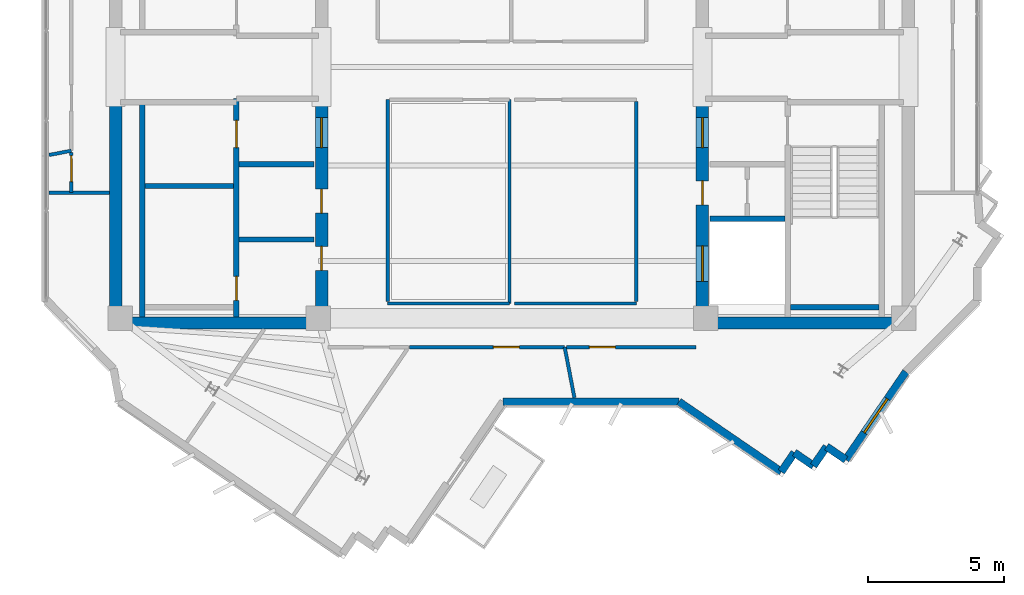
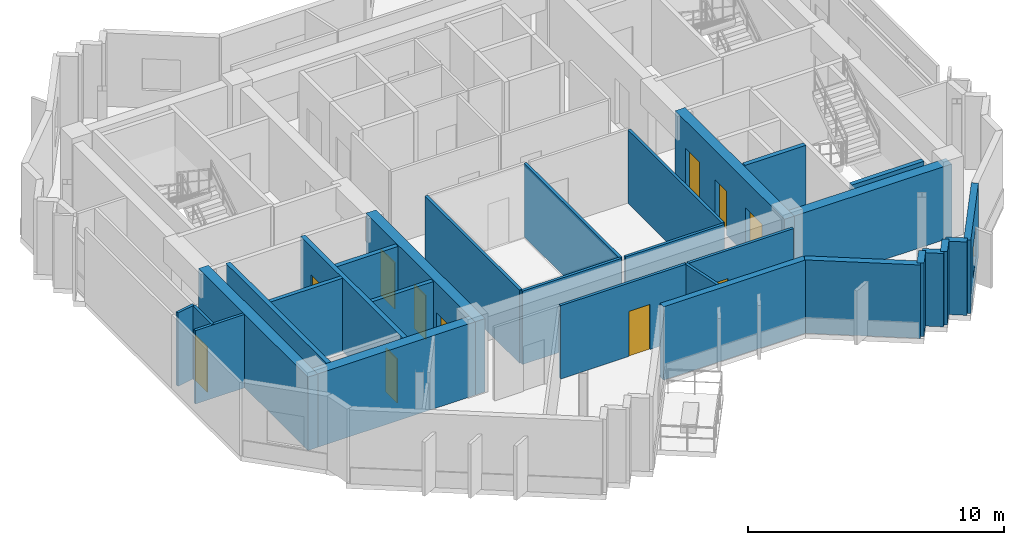
# One storey, part 5 of 11: 30 walls, 11 doors, 1 window, 12 openings.
"""IFC4 building model written with IfcOpenShell, lengths in metres."""

import ifcopenshell
import ifcopenshell.guid

model = None  # the IFC model being written
_history = None  # IfcOwnerHistory: only IFC2X3 demands one
_inside = {}  # id of a spatial element -> (the spatial element, [elements in it])
_under = {}  # id of a project, library or spatial element -> (it, [spatial elements below it])
_declared = {}  # id of a project -> (the project, [libraries it declares])
_typed = {}  # id of a type object -> (the type object, [elements of that type])
_made_of = {}  # id of a material, layer set ... -> (it, [elements and type objects made of it])


def new_model(schema):
    """Start an empty IFC model of exactly this schema.

    Asked for "IFC4X3", IfcOpenShell would pick the latest addendum, in which some entities
    have other attributes; the version numbers below select the first issue.
    IFC2X3 requires an IfcOwnerHistory on every rooted entity: one is made here for all.
    """
    global model, _history
    if schema == "IFC4X3":
        model = ifcopenshell.file(schema_version=(4, 3, 0, 0))
    else:
        model = ifcopenshell.file(schema=schema)
    _inside.clear()
    _under.clear()
    _declared.clear()
    _typed.clear()
    _made_of.clear()
    _history = None
    if model.schema == "IFC2X3":
        org = make("IfcOrganization", Name="unknown")
        user = make(
            "IfcPersonAndOrganization",
            ThePerson=make("IfcPerson", FamilyName="unknown"),
            TheOrganization=org,
        )
        app = make(
            "IfcApplication",
            ApplicationDeveloper=org,
            Version="unknown",
            ApplicationFullName="unknown",
            ApplicationIdentifier="unknown",
        )
        _history = make(
            "IfcOwnerHistory",
            OwningUser=user,
            OwningApplication=app,
            ChangeAction="ADDED",
            CreationDate=0,
        )
    return model


def make(cls, **values):
    """One entity of the class cls with the attributes given. An attribute that is None is left unset."""
    return model.create_entity(
        cls, **{name: value for name, value in values.items() if value is not None}
    )


def rooted(cls, **values):
    """An entity with a GlobalId (a new one), such as an element, a storey or a relation."""
    return make(cls, GlobalId=ifcopenshell.guid.new(), OwnerHistory=_history, **values)


def si_unit(unit_type, name, prefix=None):
    """IfcSIUnit, for example si_unit("LENGTHUNIT", "METRE", prefix="MILLI")."""
    return make("IfcSIUnit", UnitType=unit_type, Prefix=prefix, Name=name)


def assignment(units):
    """IfcUnitAssignment: the units of a project."""
    return None if units is None else make("IfcUnitAssignment", Units=units)


def point(xyz):
    """IfcCartesianPoint."""
    return None if xyz is None else make("IfcCartesianPoint", Coordinates=xyz)


def direction(xyz):
    """IfcDirection."""
    return None if xyz is None else make("IfcDirection", DirectionRatios=xyz)


def frame(location, z_axis=None, x_axis=None):
    """IfcAxis2Placement3D, a coordinate frame: its origin and axes. An axis left out is left unset."""
    return make(
        "IfcAxis2Placement3D",
        Location=point(location),
        Axis=direction(z_axis),
        RefDirection=direction(x_axis),
    )


def frame_2d(location, x_axis=None):
    """IfcAxis2Placement2D, a coordinate frame in the plane: its origin and x axis."""
    return make(
        "IfcAxis2Placement2D", Location=point(location), RefDirection=direction(x_axis)
    )


def origin():
    """The frame at (0, 0, 0) with its axes left unset."""
    return frame((0.0, 0.0, 0.0))


def place(relative_to, where):
    """IfcLocalPlacement: puts the frame where relative to a parent placement (None: the world)."""
    return make(
        "IfcLocalPlacement", PlacementRelTo=relative_to, RelativePlacement=where
    )


def context(
    kind, dimensions, precision=None, world=None, true_north=None, identifier=None
):
    """IfcGeometricRepresentationContext, for example the 3D "Model" context."""
    return make(
        "IfcGeometricRepresentationContext",
        ContextIdentifier=identifier,
        ContextType=kind,
        CoordinateSpaceDimension=dimensions,
        Precision=precision,
        WorldCoordinateSystem=world,
        TrueNorth=true_north,
    )


def subcontext(parent, identifier, kind, view, scale=None):
    """IfcGeometricRepresentationSubContext, for example "Body" below "Model"."""
    return make(
        "IfcGeometricRepresentationSubContext",
        ContextIdentifier=identifier,
        ContextType=kind,
        ParentContext=parent,
        TargetScale=scale,
        TargetView=view,
    )


def project(units=None, contexts=None):
    """IfcProject with its units and contexts."""
    return rooted(
        "IfcProject",
        Name="project",
        RepresentationContexts=contexts,
        UnitsInContext=assignment(units),
    )


def spatial(cls, under=None, at=None, **own):
    """A site, building, storey or space (cls), placed at a placement, below another one or the project."""
    s = rooted(cls, ObjectPlacement=at, **own)
    if under is not None:
        _under.setdefault(under.id(), (under, []))[1].append(s)
    return s


def profile(cls, at=None, kind="AREA", **sizes):
    """A parametric profile (cls). Its sizes go by their IFC names, for example OverallWidth=200.0."""
    return make(cls, ProfileType=kind, Position=at, **sizes)


def rectangle(**sizes):
    """IfcRectangleProfileDef."""
    return profile("IfcRectangleProfileDef", **sizes)


def extrude(swept, where, along, depth):
    """IfcExtrudedAreaSolid: the profile swept, set in the frame where, extruded along a direction by depth."""
    return make(
        "IfcExtrudedAreaSolid",
        SweptArea=swept,
        Position=where,
        ExtrudedDirection=direction(along),
        Depth=depth,
    )


def shape(context_of_items, identifier, shape_type, items):
    """IfcShapeRepresentation: the items that make up one representation, for example the "Body"."""
    return make(
        "IfcShapeRepresentation",
        ContextOfItems=context_of_items,
        RepresentationIdentifier=identifier,
        RepresentationType=shape_type,
        Items=items,
    )


def source(mapping_origin, context_of_items, identifier, shape_type, items):
    """IfcRepresentationMap: a shape defined once, which mapped items show again and again."""
    return make(
        "IfcRepresentationMap",
        MappingOrigin=mapping_origin,
        MappedRepresentation=shape(context_of_items, identifier, shape_type, items),
    )


def transform(
    local_origin,
    x_axis=None,
    y_axis=None,
    z_axis=None,
    scale=None,
    scale2=None,
    scale3=None,
    uniform=True,
):
    """IfcCartesianTransformationOperator3D, or its non-uniform kind. x_axis, y_axis, z_axis: its Axis1, 2, 3."""
    if uniform:
        return make(
            "IfcCartesianTransformationOperator3D",
            Axis1=direction(x_axis),
            Axis2=direction(y_axis),
            LocalOrigin=point(local_origin),
            Scale=scale,
            Axis3=direction(z_axis),
        )
    return make(
        "IfcCartesianTransformationOperator3DnonUniform",
        Axis1=direction(x_axis),
        Axis2=direction(y_axis),
        LocalOrigin=point(local_origin),
        Scale=scale,
        Axis3=direction(z_axis),
        Scale2=scale2,
        Scale3=scale3,
    )


def mapped(mapping_source, mapping_target):
    """IfcMappedItem: shows the shape of a source again, moved by a transform."""
    return make(
        "IfcMappedItem", MappingSource=mapping_source, MappingTarget=mapping_target
    )


def material(Name=None, Category=None):
    """IfcMaterial."""
    return make("IfcMaterial", Name=Name, Category=Category)


def layer(
    of_material, thickness, ventilated=None, Name=None, Category=None, Priority=None
):
    """IfcMaterialLayer: one layer of a wall or slab, of a material (None: an air gap)."""
    return make(
        "IfcMaterialLayer",
        Material=of_material,
        LayerThickness=thickness,
        IsVentilated=ventilated,
        Name=Name,
        Category=Category,
        Priority=Priority,
    )


def layer_set(layers, Name=None):
    """IfcMaterialLayerSet."""
    return make("IfcMaterialLayerSet", MaterialLayers=layers, LayerSetName=Name)


def made_of(thing, what):
    """Note that an element or type object is made of a material, layer set ...; save() writes the relation."""
    if what is not None:
        _made_of.setdefault(what.id(), (what, []))[1].append(thing)
    return thing


def type_object(cls, material=None, **own):
    """A type object (cls), such as IfcWallType, which elements share."""
    return made_of(rooted(cls, **own), material)


def element(
    cls,
    number,
    at=None,
    inside=None,
    cuts=None,
    type_object=None,
    material=None,
    context=None,
    identifier="Body",
    shape_type=None,
    held_by="IfcProductDefinitionShape",
    body=None,
    shapes=None,
    **own,
):
    """One element of the class cls, such as IfcWall. Its Tag is "e" and its number.

    at: its placement. inside: the storey or other place that contains it. cuts: it is an
    opening in that element (IfcRelVoidsElement). A single representation is given by context,
    identifier, shape_type and body (its items); several are given by shapes. held_by: the class
    of the entity that holds the representations. save() writes the other relations.
    """
    e = rooted(cls, Tag="e%d" % number, ObjectPlacement=at, **own)
    if body is not None:
        shapes = [shape(context, identifier, shape_type, body)]
    if shapes is not None:
        e.Representation = make(held_by, Representations=shapes)
    if inside is not None:
        _inside.setdefault(inside.id(), (inside, []))[1].append(e)
    if cuts is not None:
        rooted(
            "IfcRelVoidsElement", RelatingBuildingElement=cuts, RelatedOpeningElement=e
        )
    if type_object is not None:
        _typed.setdefault(type_object.id(), (type_object, []))[1].append(e)
    return made_of(e, material)


def fill(opening, filler):
    """IfcRelFillsElement: the door or window that sits in an opening."""
    return rooted(
        "IfcRelFillsElement",
        RelatingOpeningElement=opening,
        RelatedBuildingElement=filler,
    )


def aggregate(whole, parts):
    """IfcRelAggregates: a whole, such as a stair, and the parts it consists of."""
    return rooted("IfcRelAggregates", RelatingObject=whole, RelatedObjects=parts)


def save(model, path):
    """Write the relations noted so far, then the file.

    IfcRelAggregates (storeys below a building ...), IfcRelContainedInSpatialStructure (elements
    in a storey), IfcRelDefinesByType, IfcRelAssociatesMaterial and IfcRelDeclares: one each for
    every whole, place, type object, material and project.
    """
    for whole, parts in _under.values():
        aggregate(whole, parts)
    for where, things in _inside.values():
        rooted(
            "IfcRelContainedInSpatialStructure",
            RelatedElements=things,
            RelatingStructure=where,
        )
    for kind, things in _typed.values():
        rooted("IfcRelDefinesByType", RelatedObjects=things, RelatingType=kind)
    for what, things in _made_of.values():
        rooted("IfcRelAssociatesMaterial", RelatedObjects=things, RelatingMaterial=what)
    for by, libraries in _declared.values():
        rooted("IfcRelDeclares", RelatingContext=by, RelatedDefinitions=libraries)
    model.write(path)


model = new_model("IFC4")

# Units and contexts
model_context = context("Model", 3, precision=1e-05, world=origin(), true_north=direction((0.0, 1.0)))
body_context = subcontext(model_context, "Body", "Model", "MODEL_VIEW")
ifc_project = project(units=[si_unit("LENGTHUNIT", "METRE"), si_unit("AREAUNIT", "SQUARE_METRE"), si_unit("VOLUMEUNIT", "CUBIC_METRE"), si_unit("PLANEANGLEUNIT", "RADIAN"), si_unit("MASSUNIT", "GRAM", prefix="KILO")], contexts=[model_context])

# Site, building, storey
site_placement = place(None, origin())
site = spatial("IfcSite", under=ifc_project, at=site_placement, CompositionType="ELEMENT")
building_placement = place(site_placement, origin())
building = spatial("IfcBuilding", under=site, at=building_placement, Name="Zahravan Cultural Tower", CompositionType="ELEMENT")
storey_placement = place(building_placement, frame((0.0, 0.0, 331.050048828125)))
storey = spatial("IfcBuildingStorey", under=building, at=storey_placement, Name="L80", CompositionType="ELEMENT", Elevation=331.050048828125)

# Wall, openings, doors
ifc_material_1 = material(Name="Concrete C50/60", Category="concrete")
ifc_layer_1 = layer(ifc_material_1, 0.449951171875)
ifc_layer_set_1 = layer_set([ifc_layer_1], Name="Concrete C50/60")
wall_type_1 = type_object("IfcWallType", Name="CW-SHEAR-450-C50", PredefinedType="SHEAR", material=ifc_layer_set_1)
wall_1_placement = place(storey_placement, frame((29.02490234375, 17.39990234375, 0.0), z_axis=(0.0, 0.0, 1.0), x_axis=(0.0, 1.0, 0.0)))
wall_1 = element("IfcWall", 1, at=wall_1_placement, inside=storey, type_object=wall_type_1, Name="L80 Core Shear Wall CW-W-ES-L80", PredefinedType="SHEAR", context=body_context, shape_type="SweptSolid", body=[
    extrude(rectangle(XDim=8.550048828125, YDim=0.449951171875, at=frame_2d((4.27490234375, 0.0))), origin(), (0.0, 0.0, 1.0), 3.5),
])
opening_1_placement = place(wall_1_placement, frame((6.64990234375, 0.0, 0.0)))
opening_1 = element("IfcOpeningElement", 2, at=opening_1_placement, cuts=wall_1, Name="Opening D-L80-08", PredefinedType="OPENING", context=body_context, shape_type="SweptSolid", body=[
    extrude(rectangle(XDim=1.10009765625, YDim=2.199951171875, at=frame_2d((0.550048828125, 1.10009765625))), frame((0.0, 0.23486328125, 0.0), z_axis=(0.0, -1.0, 0.0), x_axis=(1.0, 0.0, 0.0)), (0.0, 0.0, 1.0), 0.469970703125),
])
opening_2_placement = place(wall_1_placement, frame((2.14990234375, 0.0, 0.0)))
opening_2 = element("IfcOpeningElement", 3, at=opening_2_placement, cuts=wall_1, Name="Opening D-L80-10", PredefinedType="OPENING", context=body_context, shape_type="SweptSolid", body=[
    extrude(rectangle(XDim=0.8798828125, YDim=2.10009765625, at=frame_2d((0.43994140625, 1.050048828125))), frame((0.0, 0.23486328125, 0.0), z_axis=(0.0, -1.0, 0.0), x_axis=(1.0, 0.0, 0.0)), (0.0, 0.0, 1.0), 0.469970703125),
])
opening_3_placement = place(wall_1_placement, frame((4.25, 0.0, 0.0)))
opening_3 = element("IfcOpeningElement", 4, at=opening_3_placement, cuts=wall_1, Name="Opening D-L80-11", PredefinedType="OPENING", context=body_context, shape_type="SweptSolid", body=[
    extrude(rectangle(XDim=0.8798828125, YDim=2.10009765625, at=frame_2d((0.43994140625, 1.050048828125))), frame((0.0, 0.23486328125, 0.0), z_axis=(0.0, -1.0, 0.0), x_axis=(1.0, 0.0, 0.0)), (0.0, 0.0, 1.0), 0.469970703125),
])
ifc_material_2 = material(Name="Steel ASTM A572 Grade 50", Category="steel")
door_type_1 = type_object("IfcDoorType", Name="DR-LOBBY-1100", OperationType="NOTDEFINED", PredefinedType="DOOR", material=ifc_material_2)
shared_shape_1 = source(origin(), body_context, "Body", "SweptSolid", [
    extrude(rectangle(XDim=1.10009765625, YDim=2.199951171875, at=frame_2d((0.550048828125, 1.10009765625))), frame((0.0, 0.02490234375, 0.0), z_axis=(0.0, -1.0, 0.0), x_axis=(1.0, 0.0, 0.0)), (0.0, 0.0, 1.0), 0.050048828125),
])
door_1_placement = place(opening_1_placement, origin())
door_1 = element("IfcDoor", 5, at=door_1_placement, inside=storey, type_object=door_type_1, Name="L80 Door D-L80-08", OperationType="SINGLE_SWING_LEFT", OverallHeight=2.199951171875, OverallWidth=1.10009765625, PredefinedType="DOOR", context=body_context, shape_type="MappedRepresentation", body=[
    mapped(shared_shape_1, transform((0.0, 0.0, 0.0), x_axis=(1.0, 0.0, 0.0), y_axis=(0.0, 1.0, 0.0), z_axis=(0.0, 0.0, 1.0), scale=1.0)),
])
fill(opening_1, door_1)
door_type_2 = type_object("IfcDoorType", Name="DR-SVC-880", OperationType="NOTDEFINED", PredefinedType="DOOR", material=ifc_material_2)
shared_shape_2 = source(origin(), body_context, "Body", "SweptSolid", [
    extrude(rectangle(XDim=0.8798828125, YDim=2.10009765625, at=frame_2d((0.43994140625, 1.050048828125))), frame((0.0, 0.02490234375, 0.0), z_axis=(0.0, -1.0, 0.0), x_axis=(1.0, 0.0, 0.0)), (0.0, 0.0, 1.0), 0.050048828125),
])
door_2_placement = place(opening_2_placement, origin())
door_2 = element("IfcDoor", 6, at=door_2_placement, inside=storey, type_object=door_type_2, Name="L80 Door D-L80-10", OperationType="SINGLE_SWING_LEFT", OverallHeight=2.10009765625, OverallWidth=0.8798828125, PredefinedType="DOOR", context=body_context, shape_type="MappedRepresentation", body=[
    mapped(shared_shape_2, transform((0.0, 0.0, 0.0), x_axis=(1.0, 0.0, 0.0), y_axis=(0.0, 1.0, 0.0), z_axis=(0.0, 0.0, 1.0), scale=1.0)),
])
fill(opening_2, door_2)
door_3_placement = place(opening_3_placement, origin())
door_3 = element("IfcDoor", 7, at=door_3_placement, inside=storey, type_object=door_type_2, Name="L80 Door D-L80-11", OperationType="SINGLE_SWING_RIGHT", OverallHeight=2.10009765625, OverallWidth=0.8798828125, PredefinedType="DOOR", context=body_context, shape_type="MappedRepresentation", body=[
    mapped(shared_shape_2, transform((0.0, 0.0, 0.0), x_axis=(1.0, 0.0, 0.0), y_axis=(0.0, 1.0, 0.0), z_axis=(0.0, 0.0, 1.0), scale=1.0)),
])
fill(opening_3, door_3)

wall_2_placement = place(storey_placement, frame((42.97509765625, 17.39990234375, 0.0), z_axis=(0.0, 0.0, 1.0), x_axis=(0.0, 1.0, 0.0)))
wall_2 = element("IfcWall", 8, at=wall_2_placement, inside=storey, type_object=wall_type_1, Name="L80 Core Shear Wall CW-E-WS-L80", PredefinedType="SHEAR", context=body_context, shape_type="SweptSolid", body=[
    extrude(rectangle(XDim=8.550048828125, YDim=0.449951171875, at=frame_2d((4.27490234375, 0.0))), origin(), (0.0, 0.0, 1.0), 3.5),
])
opening_4_placement = place(wall_2_placement, frame((6.64990234375, 0.0, 0.0)))
opening_4 = element("IfcOpeningElement", 9, at=opening_4_placement, cuts=wall_2, Name="Opening D-L80-09", PredefinedType="OPENING", context=body_context, shape_type="SweptSolid", body=[
    extrude(rectangle(XDim=1.10009765625, YDim=2.199951171875, at=frame_2d((0.550048828125, 1.10009765625))), frame((0.0, 0.23486328125, 0.0), z_axis=(0.0, -1.0, 0.0), x_axis=(1.0, 0.0, 0.0)), (0.0, 0.0, 1.0), 0.469970703125),
])
opening_5_placement = place(wall_2_placement, frame((1.75, 0.0, 0.0)))
opening_5 = element("IfcOpeningElement", 10, at=opening_5_placement, cuts=wall_2, Name="Opening LD-L80-03", PredefinedType="OPENING", context=body_context, shape_type="SweptSolid", body=[
    extrude(rectangle(XDim=1.300048828125, YDim=2.199951171875, at=frame_2d((0.64990234375, 1.10009765625))), frame((0.0, 0.23486328125, 0.0), z_axis=(0.0, -1.0, 0.0), x_axis=(1.0, 0.0, 0.0)), (0.0, 0.0, 1.0), 0.469970703125),
])
opening_6_placement = place(wall_2_placement, frame((4.550048828125, 0.0, 0.0)))
opening_6 = element("IfcOpeningElement", 11, at=opening_6_placement, cuts=wall_2, Name="Opening D-L80-12", PredefinedType="OPENING", context=body_context, shape_type="SweptSolid", body=[
    extrude(rectangle(XDim=0.8798828125, YDim=2.10009765625, at=frame_2d((0.43994140625, 1.050048828125))), frame((0.0, 0.23486328125, 0.0), z_axis=(0.0, -1.0, 0.0), x_axis=(1.0, 0.0, 0.0)), (0.0, 0.0, 1.0), 0.469970703125),
])
door_4_placement = place(opening_4_placement, origin())
door_4 = element("IfcDoor", 12, at=door_4_placement, inside=storey, type_object=door_type_1, Name="L80 Door D-L80-09", OperationType="SINGLE_SWING_RIGHT", OverallHeight=2.199951171875, OverallWidth=1.10009765625, PredefinedType="DOOR", context=body_context, shape_type="MappedRepresentation", body=[
    mapped(shared_shape_1, transform((0.0, 0.0, 0.0), x_axis=(1.0, 0.0, 0.0), y_axis=(0.0, 1.0, 0.0), z_axis=(0.0, 0.0, 1.0), scale=1.0)),
])
fill(opening_4, door_4)
door_type_3 = type_object("IfcDoorType", Name="DR-LIFT-1300", OperationType="DOUBLE_DOOR_SLIDING", PredefinedType="DOOR", material=ifc_material_2)
shared_shape_3 = source(origin(), body_context, "Body", "SweptSolid", [
    extrude(rectangle(XDim=1.300048828125, YDim=2.199951171875, at=frame_2d((0.64990234375, 1.10009765625))), frame((0.0, 0.02490234375, 0.0), z_axis=(0.0, -1.0, 0.0), x_axis=(1.0, 0.0, 0.0)), (0.0, 0.0, 1.0), 0.050048828125),
])
door_5_placement = place(opening_5_placement, origin())
door_5 = element("IfcDoor", 13, at=door_5_placement, inside=storey, type_object=door_type_3, Name="L80 Door LD-L80-03", OperationType="DOUBLE_DOOR_SLIDING", OverallHeight=2.199951171875, OverallWidth=1.300048828125, PredefinedType="DOOR", context=body_context, shape_type="MappedRepresentation", body=[
    mapped(shared_shape_3, transform((0.0, 0.0, 0.0), x_axis=(1.0, 0.0, 0.0), y_axis=(0.0, 1.0, 0.0), z_axis=(0.0, 0.0, 1.0), scale=1.0)),
])
fill(opening_5, door_5)
door_6_placement = place(opening_6_placement, origin())
door_6 = element("IfcDoor", 14, at=door_6_placement, inside=storey, type_object=door_type_2, Name="L80 Door D-L80-12", OperationType="SINGLE_SWING_LEFT", OverallHeight=2.10009765625, OverallWidth=0.8798828125, PredefinedType="DOOR", context=body_context, shape_type="MappedRepresentation", body=[
    mapped(shared_shape_2, transform((0.0, 0.0, 0.0), x_axis=(1.0, 0.0, 0.0), y_axis=(0.0, 1.0, 0.0), z_axis=(0.0, 0.0, 1.0), scale=1.0)),
])
fill(opening_6, door_6)

# Wall, opening, window
ifc_material_3 = material(Name="Precast concrete C40/50", Category="concrete")
ifc_layer_2 = layer(ifc_material_3, 0.280029296875)
ifc_layer_set_2 = layer_set([ifc_layer_2], Name="Precast concrete C40/50")
wall_type_2 = type_object("IfcWallType", Name="EW-TC-280", PredefinedType="SOLIDWALL", material=ifc_layer_set_2)
wall_3_placement = place(storey_placement, frame((50.43701171875, 15.8349609375, 0.0), z_axis=(0.0, 0.0, 1.0), x_axis=(-0.564961879511, -0.825117006672, 0.0)))
wall_3 = element("IfcWall", 15, at=wall_3_placement, inside=storey, type_object=wall_type_2, Name="L80 Exterior Masonry Frame Wall 27", PredefinedType="SOLIDWALL", context=body_context, shape_type="SweptSolid", body=[
    extrude(rectangle(XDim=3.90380859375, YDim=0.280029296875, at=frame_2d((1.951904296875, 0.0))), origin(), (0.0, 0.0, 1.0), 3.5),
])
opening_7_placement = place(wall_3_placement, frame((1.201904296875, 0.0, 0.85009765625)))
opening_7 = element("IfcOpeningElement", 16, at=opening_7_placement, cuts=wall_3, Name="Opening WN-03", PredefinedType="OPENING", context=body_context, shape_type="SweptSolid", body=[
    extrude(rectangle(XDim=1.5, YDim=1.5, at=frame_2d((0.75, 0.75))), frame((0.0, 0.14990234375, 0.0), z_axis=(0.0, -1.0, 0.0), x_axis=(1.0, 0.0, 0.0)), (0.0, 0.0, 1.0), 0.300048828125),
])
ifc_material_4 = material(Name="Low-E solar-control double glazing", Category="glass")
window_type = type_object("IfcWindowType", Name="WN-REC-1500X1500", PartitioningType="SINGLE_PANEL", PredefinedType="WINDOW", material=ifc_material_4)
shared_shape_4 = source(origin(), body_context, "Body", "SweptSolid", [
    extrude(rectangle(XDim=1.5, YDim=1.5, at=frame_2d((0.75, 0.75))), frame((0.0, 0.030029296875, 0.0), z_axis=(0.0, -1.0, 0.0), x_axis=(1.0, 0.0, 0.0)), (0.0, 0.0, 1.0), 0.06005859375),
])
window_placement = place(opening_7_placement, origin())
window = element("IfcWindow", 17, at=window_placement, inside=storey, type_object=window_type, Name="L80 Recessed Solar Window 08", OverallHeight=1.5, OverallWidth=1.5, PartitioningType="SINGLE_PANEL", PredefinedType="WINDOW", context=body_context, shape_type="MappedRepresentation", body=[
    mapped(shared_shape_4, transform((0.0, 0.0, 0.0), x_axis=(1.0, 0.0, 0.0), y_axis=(0.0, 1.0, 0.0), z_axis=(0.0, 0.0, 1.0), scale=1.0)),
])
fill(opening_7, window)

# Wall, opening, door
ifc_material_5 = material(Name="Gypsum plasterboard partition")
ifc_layer_3 = layer(ifc_material_5, 0.125)
ifc_layer_set_3 = layer_set([ifc_layer_3], Name="Gypsum plasterboard partition")
wall_type_3 = type_object("IfcWallType", Name="W-PART-125", PredefinedType="PARTITIONING", material=ifc_layer_set_3)
wall_4_placement = place(storey_placement, frame((19.85009765625, 23.869384765625, 0.0), z_axis=(0.0, 0.0, 1.0), x_axis=(0.000665004009, -0.999999778885, 0.0)))
wall_4 = element("IfcWall", 18, at=wall_4_placement, inside=storey, type_object=wall_type_3, Name="L80 Interior Wall 069", PredefinedType="PARTITIONING", context=body_context, shape_type="SweptSolid", body=[
    extrude(rectangle(XDim=1.468505859375, YDim=0.125, at=frame_2d((0.734375, 0.0))), origin(), (0.0, 0.0, 1.0), 3.5),
])
opening_8_placement = place(wall_4_placement, frame((0.114013671875, 0.0, 0.0)))
opening_8 = element("IfcOpeningElement", 19, at=opening_8_placement, cuts=wall_4, Name="Opening D-L80-25", PredefinedType="OPENING", context=body_context, shape_type="SweptSolid", body=[
    extrude(rectangle(XDim=0.949951171875, YDim=2.14990234375, at=frame_2d((0.47509765625, 1.074951171875))), frame((0.0, 0.072509765625, 0.0), z_axis=(0.0, -1.0, 0.0), x_axis=(1.0, 0.0, 0.0)), (0.0, 0.0, 1.0), 0.14501953125),
])
ifc_material_6 = material(Name="Anodised bronze-aluminium mullion", Category="aluminium")
door_type_4 = type_object("IfcDoorType", Name="DR-ROOM-950", OperationType="NOTDEFINED", PredefinedType="DOOR", material=ifc_material_6)
shared_shape_5 = source(origin(), body_context, "Body", "SweptSolid", [
    extrude(rectangle(XDim=0.949951171875, YDim=2.14990234375, at=frame_2d((0.47509765625, 1.074951171875))), frame((0.0, 0.02490234375, 0.0), z_axis=(0.0, -1.0, 0.0), x_axis=(1.0, 0.0, 0.0)), (0.0, 0.0, 1.0), 0.050048828125),
])
door_7_placement = place(opening_8_placement, origin())
door_7 = element("IfcDoor", 20, at=door_7_placement, inside=storey, type_object=door_type_4, Name="L80 Door D-L80-25", OperationType="SINGLE_SWING_RIGHT", OverallHeight=2.14990234375, OverallWidth=0.949951171875, PredefinedType="DOOR", context=body_context, shape_type="MappedRepresentation", body=[
    mapped(shared_shape_5, transform((0.0, 0.0, 0.0), x_axis=(1.0, 0.0, 0.0), y_axis=(0.0, 1.0, 0.0), z_axis=(0.0, 0.0, 1.0), scale=1.0)),
])
fill(opening_8, door_7)

wall_5_placement = place(storey_placement, frame((32.235107421875, 16.739990234375, 0.0), z_axis=(0.0, 0.0, 1.0), x_axis=(1.0, 0.0, 0.0)))
wall_5 = element("IfcWall", 21, at=wall_5_placement, inside=storey, type_object=wall_type_3, Name="L80 Interior Wall 092", PredefinedType="PARTITIONING", context=body_context, shape_type="SweptSolid", body=[
    extrude(rectangle(XDim=5.696044921875, YDim=0.125, at=frame_2d((2.84814453125, 0.0))), origin(), (0.0, 0.0, 1.0), 3.5),
])
opening_9_placement = place(wall_5_placement, frame((3.0849609375, 0.0, 0.0)))
opening_9 = element("IfcOpeningElement", 22, at=opening_9_placement, cuts=wall_5, Name="Opening D-L80-27", PredefinedType="OPENING", context=body_context, shape_type="SweptSolid", body=[
    extrude(rectangle(XDim=0.949951171875, YDim=2.14990234375, at=frame_2d((0.47509765625, 1.074951171875))), frame((0.0, 0.072509765625, 0.0), z_axis=(0.0, -1.0, 0.0), x_axis=(1.0, 0.0, 0.0)), (0.0, 0.0, 1.0), 0.14501953125),
])
door_8_placement = place(opening_9_placement, origin())
door_8 = element("IfcDoor", 23, at=door_8_placement, inside=storey, type_object=door_type_4, Name="L80 Door D-L80-27", OperationType="SINGLE_SWING_RIGHT", OverallHeight=2.14990234375, OverallWidth=0.949951171875, PredefinedType="DOOR", context=body_context, shape_type="MappedRepresentation", body=[
    mapped(shared_shape_5, transform((0.0, 0.0, 0.0), x_axis=(1.0, 0.0, 0.0), y_axis=(0.0, 1.0, 0.0), z_axis=(0.0, 0.0, 1.0), scale=1.0)),
])
fill(opening_9, door_8)

wall_6_placement = place(storey_placement, frame((37.999755859375, 16.739990234375, 0.0), z_axis=(0.0, 0.0, 1.0), x_axis=(1.0, 0.0, 0.0)))
wall_6 = element("IfcWall", 24, at=wall_6_placement, inside=storey, type_object=wall_type_3, Name="L80 Interior Wall 095", PredefinedType="PARTITIONING", context=body_context, shape_type="SweptSolid", body=[
    extrude(rectangle(XDim=4.744384765625, YDim=0.125, at=frame_2d((2.3720703125, 0.0))), origin(), (0.0, 0.0, 1.0), 3.5),
])
opening_10_placement = place(wall_6_placement, frame((0.834716796875, 0.0, 0.0)))
opening_10 = element("IfcOpeningElement", 25, at=opening_10_placement, cuts=wall_6, Name="Opening D-L80-28", PredefinedType="OPENING", context=body_context, shape_type="SweptSolid", body=[
    extrude(rectangle(XDim=0.949951171875, YDim=2.14990234375, at=frame_2d((0.47509765625, 1.074951171875))), frame((0.0, 0.072509765625, 0.0), z_axis=(0.0, -1.0, 0.0), x_axis=(1.0, 0.0, 0.0)), (0.0, 0.0, 1.0), 0.14501953125),
])
door_9_placement = place(opening_10_placement, origin())
door_9 = element("IfcDoor", 26, at=door_9_placement, inside=storey, type_object=door_type_4, Name="L80 Door D-L80-28", OperationType="SINGLE_SWING_LEFT", OverallHeight=2.14990234375, OverallWidth=0.949951171875, PredefinedType="DOOR", context=body_context, shape_type="MappedRepresentation", body=[
    mapped(shared_shape_5, transform((0.0, 0.0, 0.0), x_axis=(1.0, 0.0, 0.0), y_axis=(0.0, 1.0, 0.0), z_axis=(0.0, 0.0, 1.0), scale=1.0)),
])
fill(opening_10, door_9)

# Wall, openings, doors
ifc_material_7 = material(Name="Concrete C45/55", Category="concrete")
ifc_layer_4 = layer(ifc_material_7, 0.199951171875)
ifc_layer_set_4 = layer_set([ifc_layer_4], Name="Concrete C45/55")
wall_type_4 = type_object("IfcWallType", Name="W-SHAFT-200", PredefinedType="SOLIDWALL", material=ifc_layer_set_4)
wall_7_placement = place(storey_placement, frame((25.89990234375, 17.85009765625, 0.0), z_axis=(0.0, 0.0, 1.0), x_axis=(0.0, 1.0, 0.0)))
wall_7 = element("IfcWall", 27, at=wall_7_placement, inside=storey, type_object=wall_type_4, Name="L80 Interior Wall 005", PredefinedType="SOLIDWALL", context=body_context, shape_type="SweptSolid", body=[
    extrude(rectangle(XDim=8.0, YDim=0.199951171875, at=frame_2d((4.0, 0.0))), origin(), (0.0, 0.0, 1.0), 3.5),
])
opening_11_placement = place(wall_7_placement, frame((6.199951171875, 0.0, 0.0)))
opening_11 = element("IfcOpeningElement", 28, at=opening_11_placement, cuts=wall_7, Name="Opening D-L80-04", PredefinedType="OPENING", context=body_context, shape_type="SweptSolid", body=[
    extrude(rectangle(XDim=1.0, YDim=2.14990234375, at=frame_2d((0.5, 1.074951171875))), frame((0.0, 0.10986328125, 0.0), z_axis=(0.0, -1.0, 0.0), x_axis=(1.0, 0.0, 0.0)), (0.0, 0.0, 1.0), 0.219970703125),
])
opening_12_placement = place(wall_7_placement, frame((0.60009765625, 0.0, 0.0)))
opening_12 = element("IfcOpeningElement", 29, at=opening_12_placement, cuts=wall_7, Name="Opening D-L80-05", PredefinedType="OPENING", context=body_context, shape_type="SweptSolid", body=[
    extrude(rectangle(XDim=0.8798828125, YDim=2.10009765625, at=frame_2d((0.43994140625, 1.050048828125))), frame((0.0, 0.10986328125, 0.0), z_axis=(0.0, -1.0, 0.0), x_axis=(1.0, 0.0, 0.0)), (0.0, 0.0, 1.0), 0.219970703125),
])
door_10_placement = place(opening_12_placement, origin())
door_10 = element("IfcDoor", 30, at=door_10_placement, inside=storey, type_object=door_type_2, Name="L80 Door D-L80-05", OperationType="SINGLE_SWING_RIGHT", OverallHeight=2.10009765625, OverallWidth=0.8798828125, PredefinedType="DOOR", context=body_context, shape_type="MappedRepresentation", body=[
    mapped(shared_shape_2, transform((0.0, 0.0, 0.0), x_axis=(1.0, 0.0, 0.0), y_axis=(0.0, 1.0, 0.0), z_axis=(0.0, 0.0, 1.0), scale=1.0)),
])
fill(opening_12, door_10)
door_type_5 = type_object("IfcDoorType", Name="DR-COMP-1000", OperationType="NOTDEFINED", PredefinedType="DOOR", material=ifc_material_2)
shared_shape_6 = source(origin(), body_context, "Body", "SweptSolid", [
    extrude(rectangle(XDim=1.0, YDim=2.14990234375, at=frame_2d((0.5, 1.074951171875))), frame((0.0, 0.02490234375, 0.0), z_axis=(0.0, -1.0, 0.0), x_axis=(1.0, 0.0, 0.0)), (0.0, 0.0, 1.0), 0.050048828125),
])
door_11_placement = place(opening_11_placement, origin())
door_11 = element("IfcDoor", 31, at=door_11_placement, inside=storey, type_object=door_type_5, Name="L80 Door D-L80-04", OperationType="SINGLE_SWING_LEFT", OverallHeight=2.14990234375, OverallWidth=1.0, PredefinedType="DOOR", context=body_context, shape_type="MappedRepresentation", body=[
    mapped(shared_shape_6, transform((0.0, 0.0, 0.0), x_axis=(1.0, 0.0, 0.0), y_axis=(0.0, 1.0, 0.0), z_axis=(0.0, 0.0, 1.0), scale=1.0)),
])
fill(opening_11, door_11)

# Walls
shared_shape_7 = source(origin(), body_context, "Body", "SweptSolid", [
    extrude(rectangle(XDim=8.550048828125, YDim=0.449951171875, at=frame_2d((4.27490234375, 0.0))), origin(), (0.0, 0.0, 1.0), 3.5),
])
wall_8_placement = place(storey_placement, frame((21.47509765625, 17.39990234375, 0.0), z_axis=(0.0, 0.0, 1.0), x_axis=(0.0, 1.0, 0.0)))
element("IfcWall", 32, at=wall_8_placement, inside=storey, type_object=wall_type_1, Name="L80 Core Shear Wall CW-W-WS-L80", PredefinedType="SHEAR", context=body_context, shape_type="MappedRepresentation", body=[
    mapped(shared_shape_7, transform((0.0, 0.0, 0.0), x_axis=(1.0, 0.0, 0.0), y_axis=(0.0, 1.0, 0.0), z_axis=(0.0, 0.0, 1.0), scale=1.0)),
])
shared_shape_8 = source(origin(), body_context, "Body", "SweptSolid", [
    extrude(rectangle(XDim=7.10009765625, YDim=0.449951171875, at=frame_2d((3.550048828125, 0.0))), origin(), (0.0, 0.0, 1.0), 3.5),
])
for number, where, z_axis, x_axis, name in (
    (33, (21.699951171875, 17.625, 0.0), (0.0, 0.0, 1.0), (1.0, 0.0, 0.0), "L80 Core Shear Wall CW-W-S-L80"),
    (34, (43.199951171875, 17.625, 0.0), (0.0, 0.0, 1.0), (1.0, 0.0, 0.0), "L80 Core Shear Wall CW-E-S-L80"),
):
    element("IfcWall", number, at=place(storey_placement, frame(where, z_axis=z_axis, x_axis=x_axis)), inside=storey, type_object=wall_type_1, Name=name, PredefinedType="SHEAR", context=body_context, shape_type="MappedRepresentation", body=[
        mapped(shared_shape_8, transform((0.0, 0.0, 0.0), x_axis=(1.0, 0.0, 0.0), y_axis=(0.0, 1.0, 0.0), z_axis=(0.0, 0.0, 1.0), scale=1.0)),
    ])
shared_shape_9 = source(origin(), body_context, "Body", "SweptSolid", [
    extrude(rectangle(XDim=0.85009765625, YDim=0.280029296875, at=frame_2d((0.425048828125, 0.0))), origin(), (0.0, 0.0, 1.0), 3.5),
])
for number, where, z_axis, x_axis, name in (
    (35, (48.2314453125, 12.61376953125, 0.0), (0.0, 0.0, 1.0), (-0.825138153006, 0.564930994418, 0.0), "L80 Exterior Masonry Frame Wall 28"),
    (36, (47.530029296875, 13.093994140625, 0.0), (0.0, 0.0, 1.0), (-0.564930994418, -0.825138153006, 0.0), "L80 Exterior Masonry Frame Wall 29"),
    (37, (47.0498046875, 12.392578125, 0.0), (0.0, 0.0, 1.0), (-0.825138153006, 0.564930994418, 0.0), "L80 Exterior Masonry Frame Wall 30"),
    (38, (46.348388671875, 12.872802734375, 0.0), (0.0, 0.0, 1.0), (-0.564930994418, -0.825138153006, 0.0), "L80 Exterior Masonry Frame Wall 31"),
):
    element("IfcWall", number, at=place(storey_placement, frame(where, z_axis=z_axis, x_axis=x_axis)), inside=storey, type_object=wall_type_2, Name=name, PredefinedType="SOLIDWALL", context=body_context, shape_type="MappedRepresentation", body=[
        mapped(shared_shape_9, transform((0.0, 0.0, 0.0), x_axis=(1.0, 0.0, 0.0), y_axis=(0.0, 1.0, 0.0), z_axis=(0.0, 0.0, 1.0), scale=1.0)),
    ])
shared_shape_10 = source(origin(), body_context, "Body", "SweptSolid", [
    extrude(rectangle(XDim=4.54638671875, YDim=0.280029296875, at=frame_2d((2.273193359375, 0.0))), origin(), (0.0, 0.0, 1.0), 3.5),
])
wall_9_placement = place(storey_placement, frame((45.8681640625, 12.17138671875, 0.0), z_axis=(0.0, 0.0, 1.0), x_axis=(-0.825104362901, 0.564980345075, 0.0)))
element("IfcWall", 39, at=wall_9_placement, inside=storey, type_object=wall_type_2, Name="L80 Exterior Masonry Frame Wall 32", PredefinedType="SOLIDWALL", context=body_context, shape_type="MappedRepresentation", body=[
    mapped(shared_shape_10, transform((0.0, 0.0, 0.0), x_axis=(1.0, 0.0, 0.0), y_axis=(0.0, 1.0, 0.0), z_axis=(0.0, 0.0, 1.0), scale=1.0)),
])
shared_shape_11 = source(origin(), body_context, "Body", "SweptSolid", [
    extrude(rectangle(XDim=6.43994140625, YDim=0.280029296875, at=frame_2d((3.219970703125, 0.0))), origin(), (0.0, 0.0, 1.0), 3.5),
])
wall_10_placement = place(storey_placement, frame((42.116943359375, 14.739990234375, 0.0), z_axis=(0.0, 0.0, 1.0), x_axis=(-1.0, 0.0, 0.0)))
element("IfcWall", 40, at=wall_10_placement, inside=storey, type_object=wall_type_2, Name="L80 Exterior Masonry Frame Wall 33", PredefinedType="SOLIDWALL", context=body_context, shape_type="MappedRepresentation", body=[
    mapped(shared_shape_11, transform((0.0, 0.0, 0.0), x_axis=(1.0, 0.0, 0.0), y_axis=(0.0, 1.0, 0.0), z_axis=(0.0, 0.0, 1.0), scale=1.0)),
])
shared_shape_12 = source(origin(), body_context, "Body", "SweptSolid", [
    extrude(rectangle(XDim=7.869873046875, YDim=0.199951171875, at=frame_2d((3.93505859375, 0.0))), origin(), (0.0, 0.0, 1.0), 3.5),
])
wall_11_placement = place(storey_placement, frame((22.449951171875, 17.85009765625, 0.0), z_axis=(0.0, 0.0, 1.0), x_axis=(0.0, 1.0, 0.0)))
element("IfcWall", 41, at=wall_11_placement, inside=storey, type_object=wall_type_4, Name="L80 Interior Wall 001", PredefinedType="SOLIDWALL", context=body_context, shape_type="MappedRepresentation", body=[
    mapped(shared_shape_12, transform((0.0, 0.0, 0.0), x_axis=(1.0, 0.0, 0.0), y_axis=(0.0, 1.0, 0.0), z_axis=(0.0, 0.0, 1.0), scale=1.0)),
])
shared_shape_13 = source(origin(), body_context, "Body", "SweptSolid", [
    extrude(rectangle(XDim=3.25, YDim=0.199951171875, at=frame_2d((1.625, 0.0))), origin(), (0.0, 0.0, 1.0), 3.5),
])
wall_12_placement = place(storey_placement, frame((46.199951171875, 18.199951171875, 0.0), z_axis=(0.0, 0.0, 1.0), x_axis=(1.0, 0.0, 0.0)))
element("IfcWall", 42, at=wall_12_placement, inside=storey, type_object=wall_type_4, Name="L80 Interior Wall 020", PredefinedType="SOLIDWALL", context=body_context, shape_type="MappedRepresentation", body=[
    mapped(shared_shape_13, transform((0.0, 0.0, 0.0), x_axis=(1.0, 0.0, 0.0), y_axis=(0.0, 1.0, 0.0), z_axis=(0.0, 0.0, 1.0), scale=1.0)),
])
ifc_layer_5 = layer(ifc_material_5, 0.179931640625)
ifc_layer_set_5 = layer_set([ifc_layer_5], Name="Gypsum plasterboard partition")
wall_type_5 = type_object("IfcWallType", Name="W-COMP-180", PredefinedType="PARTITIONING", material=ifc_layer_set_5)
shared_shape_14 = source(origin(), body_context, "Body", "SweptSolid", [
    extrude(rectangle(XDim=3.25, YDim=0.179931640625, at=frame_2d((1.625, 0.0))), origin(), (0.0, 0.0, 1.0), 3.5),
])
wall_13_placement = place(storey_placement, frame((22.550048828125, 22.64990234375, 0.0), z_axis=(0.0, 0.0, 1.0), x_axis=(1.0, 0.0, 0.0)))
element("IfcWall", 43, at=wall_13_placement, inside=storey, type_object=wall_type_5, Name="L80 Interior Wall 021", PredefinedType="PARTITIONING", context=body_context, shape_type="MappedRepresentation", body=[
    mapped(shared_shape_14, transform((0.0, 0.0, 0.0), x_axis=(1.0, 0.0, 0.0), y_axis=(0.0, 1.0, 0.0), z_axis=(0.0, 0.0, 1.0), scale=1.0)),
])
shared_shape_15 = source(origin(), body_context, "Body", "SweptSolid", [
    extrude(rectangle(XDim=2.75, YDim=0.199951171875, at=frame_2d((1.375, 0.0))), origin(), (0.0, 0.0, 1.0), 3.5),
])
for number, where, z_axis, x_axis, name in (
    (44, (26.0, 23.449951171875, 0.0), (0.0, 0.0, 1.0), (1.0, 0.0, 0.0), "L80 Interior Wall 024"),
    (45, (43.25, 21.449951171875, 0.0), (0.0, 0.0, 1.0), (1.0, 0.0, 0.0), "L80 Interior Wall 026"),
):
    element("IfcWall", number, at=place(storey_placement, frame(where, z_axis=z_axis, x_axis=x_axis)), inside=storey, type_object=wall_type_4, Name=name, PredefinedType="SOLIDWALL", context=body_context, shape_type="MappedRepresentation", body=[
        mapped(shared_shape_15, transform((0.0, 0.0, 0.0), x_axis=(1.0, 0.0, 0.0), y_axis=(0.0, 1.0, 0.0), z_axis=(0.0, 0.0, 1.0), scale=1.0)),
    ])
shared_shape_16 = source(origin(), body_context, "Body", "SweptSolid", [
    extrude(rectangle(XDim=2.75, YDim=0.179931640625, at=frame_2d((1.375, 0.0))), origin(), (0.0, 0.0, 1.0), 3.5),
])
wall_14_placement = place(storey_placement, frame((26.0, 20.679931640625, 0.0), z_axis=(0.0, 0.0, 1.0), x_axis=(1.0, 0.0, 0.0)))
element("IfcWall", 46, at=wall_14_placement, inside=storey, type_object=wall_type_5, Name="L80 Interior Wall 027", PredefinedType="PARTITIONING", context=body_context, shape_type="MappedRepresentation", body=[
    mapped(shared_shape_16, transform((0.0, 0.0, 0.0), x_axis=(1.0, 0.0, 0.0), y_axis=(0.0, 1.0, 0.0), z_axis=(0.0, 0.0, 1.0), scale=1.0)),
])
shared_shape_17 = source(origin(), body_context, "Body", "SweptSolid", [
    extrude(rectangle(XDim=4.469970703125, YDim=0.125, at=frame_2d((2.23486328125, 0.0))), origin(), (0.0, 0.0, 1.0), 3.5),
])
for number, where, z_axis, x_axis, name in (
    (47, (35.909912109375, 18.340087890625, 0.0), (0.0, 0.0, 1.0), (-1.0, 0.0, 0.0), "L80 Interior Wall 083"),
    (48, (40.56005859375, 18.340087890625, 0.0), (0.0, 0.0, 1.0), (-1.0, 0.0, 0.0), "L80 Interior Wall 087"),
):
    element("IfcWall", number, at=place(storey_placement, frame(where, z_axis=z_axis, x_axis=x_axis)), inside=storey, type_object=wall_type_3, Name=name, PredefinedType="PARTITIONING", context=body_context, shape_type="MappedRepresentation", body=[
        mapped(shared_shape_17, transform((0.0, 0.0, 0.0), x_axis=(1.0, 0.0, 0.0), y_axis=(0.0, 1.0, 0.0), z_axis=(0.0, 0.0, 1.0), scale=1.0)),
    ])
shared_shape_18 = source(origin(), body_context, "Body", "SweptSolid", [
    extrude(rectangle(XDim=7.402587890625, YDim=0.125, at=frame_2d((3.701171875, 0.0))), origin(), (0.0, 0.0, 1.0), 3.5),
])
wall_15_placement = place(storey_placement, frame((31.43994140625, 18.407470703125, 0.0), z_axis=(0.0, 0.0, 1.0), x_axis=(0.0, 1.0, 0.0)))
element("IfcWall", 49, at=wall_15_placement, inside=storey, type_object=wall_type_3, Name="L80 Interior Wall 084", PredefinedType="PARTITIONING", context=body_context, shape_type="MappedRepresentation", body=[
    mapped(shared_shape_18, transform((0.0, 0.0, 0.0), x_axis=(1.0, 0.0, 0.0), y_axis=(0.0, 1.0, 0.0), z_axis=(0.0, 0.0, 1.0), scale=1.0)),
])
shared_shape_19 = source(origin(), body_context, "Body", "SweptSolid", [
    extrude(rectangle(XDim=7.469970703125, YDim=0.125, at=frame_2d((3.73486328125, 0.0))), origin(), (0.0, 0.0, 1.0), 3.5),
])
wall_16_placement = place(storey_placement, frame((35.909912109375, 25.81005859375, 0.0), z_axis=(0.0, 0.0, 1.0), x_axis=(0.0, -1.0, 0.0)))
element("IfcWall", 50, at=wall_16_placement, inside=storey, type_object=wall_type_3, Name="L80 Interior Wall 086", PredefinedType="PARTITIONING", context=body_context, shape_type="MappedRepresentation", body=[
    mapped(shared_shape_19, transform((0.0, 0.0, 0.0), x_axis=(1.0, 0.0, 0.0), y_axis=(0.0, 1.0, 0.0), z_axis=(0.0, 0.0, 1.0), scale=1.0)),
])
shared_shape_20 = source(origin(), body_context, "Body", "SweptSolid", [
    extrude(rectangle(XDim=7.3349609375, YDim=0.125, at=frame_2d((3.66748046875, 0.0))), origin(), (0.0, 0.0, 1.0), 3.5),
])
wall_17_placement = place(storey_placement, frame((40.56005859375, 25.742431640625, 0.0), z_axis=(0.0, 0.0, 1.0), x_axis=(0.0, -1.0, 0.0)))
element("IfcWall", 51, at=wall_17_placement, inside=storey, type_object=wall_type_3, Name="L80 Interior Wall 089", PredefinedType="PARTITIONING", context=body_context, shape_type="MappedRepresentation", body=[
    mapped(shared_shape_20, transform((0.0, 0.0, 0.0), x_axis=(1.0, 0.0, 0.0), y_axis=(0.0, 1.0, 0.0), z_axis=(0.0, 0.0, 1.0), scale=1.0)),
])
shared_shape_21 = source(origin(), body_context, "Body", "SweptSolid", [
    extrude(rectangle(XDim=2.215087890625, YDim=0.125, at=frame_2d((1.107421875, 0.0))), origin(), (0.0, 0.0, 1.0), 3.5),
])
wall_18_placement = place(storey_placement, frame((19.030029296875, 22.401611328125, 0.0), z_axis=(0.0, 0.0, 1.0), x_axis=(0.999999702379, -0.000771519665, 0.0)))
element("IfcWall", 52, at=wall_18_placement, inside=storey, type_object=wall_type_3, Name="L80 Interior Wall 070", PredefinedType="PARTITIONING", context=body_context, shape_type="MappedRepresentation", body=[
    mapped(shared_shape_21, transform((0.0, 0.0, 0.0), x_axis=(1.0, 0.0, 0.0), y_axis=(0.0, 1.0, 0.0), z_axis=(0.0, 0.0, 1.0), scale=1.0)),
])
shared_shape_22 = source(origin(), body_context, "Body", "SweptSolid", [
    extrude(rectangle(XDim=0.829833984375, YDim=0.125, at=frame_2d((0.4150390625, 0.0))), origin(), (0.0, 0.0, 1.0), 3.5),
])
wall_19_placement = place(storey_placement, frame((19.849853515625, 23.93798828125, 0.0), z_axis=(0.0, 0.0, 1.0), x_axis=(-0.98205677528, -0.188585498189, 0.0)))
element("IfcWall", 53, at=wall_19_placement, inside=storey, type_object=wall_type_3, Name="L80 Interior Wall 064", PredefinedType="PARTITIONING", context=body_context, shape_type="MappedRepresentation", body=[
    mapped(shared_shape_22, transform((0.0, 0.0, 0.0), x_axis=(1.0, 0.0, 0.0), y_axis=(0.0, 1.0, 0.0), z_axis=(0.0, 0.0, 1.0), scale=1.0)),
])
shared_shape_23 = source(origin(), body_context, "Body", "SweptSolid", [
    extrude(rectangle(XDim=1.888916015625, YDim=0.125, at=frame_2d((0.9443359375, 0.0))), origin(), (0.0, 0.0, 1.0), 3.5),
])
wall_20_placement = place(storey_placement, frame((37.93115234375, 16.739990234375, 0.0), z_axis=(0.0, 0.0, 1.0), x_axis=(0.188454265316, -0.982081966989, 0.0)))
element("IfcWall", 54, at=wall_20_placement, inside=storey, type_object=wall_type_3, Name="L80 Interior Wall 093", PredefinedType="PARTITIONING", context=body_context, shape_type="MappedRepresentation", body=[
    mapped(shared_shape_23, transform((0.0, 0.0, 0.0), x_axis=(1.0, 0.0, 0.0), y_axis=(0.0, 1.0, 0.0), z_axis=(0.0, 0.0, 1.0), scale=1.0)),
])

save(model, "model.ifc")
